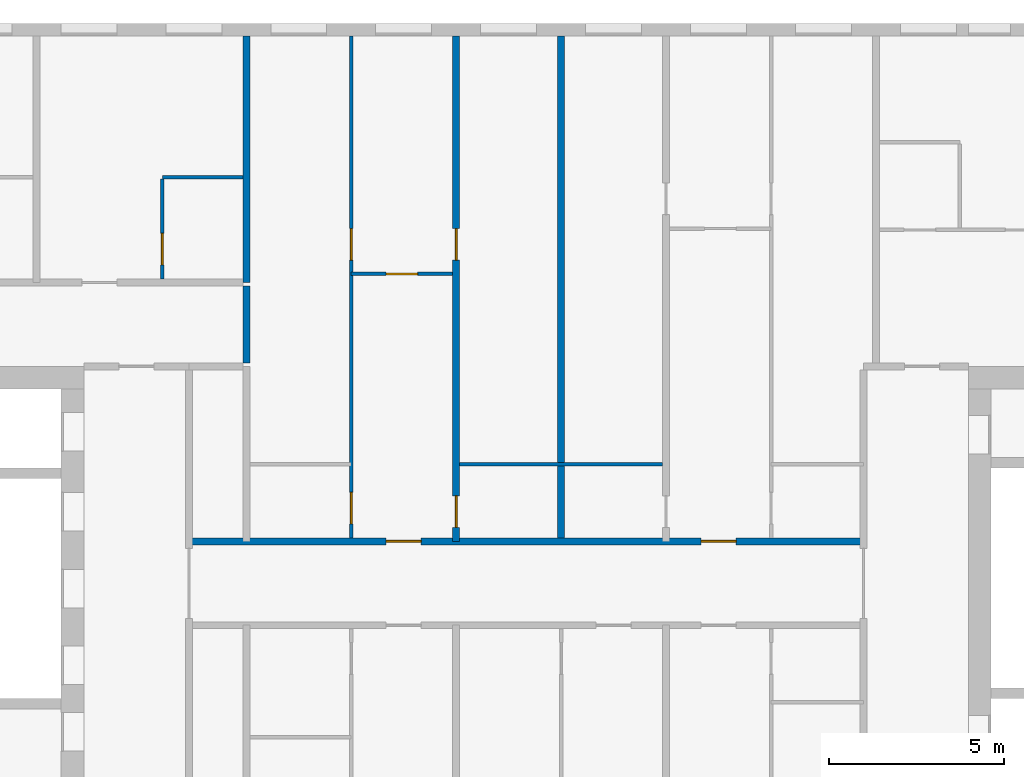
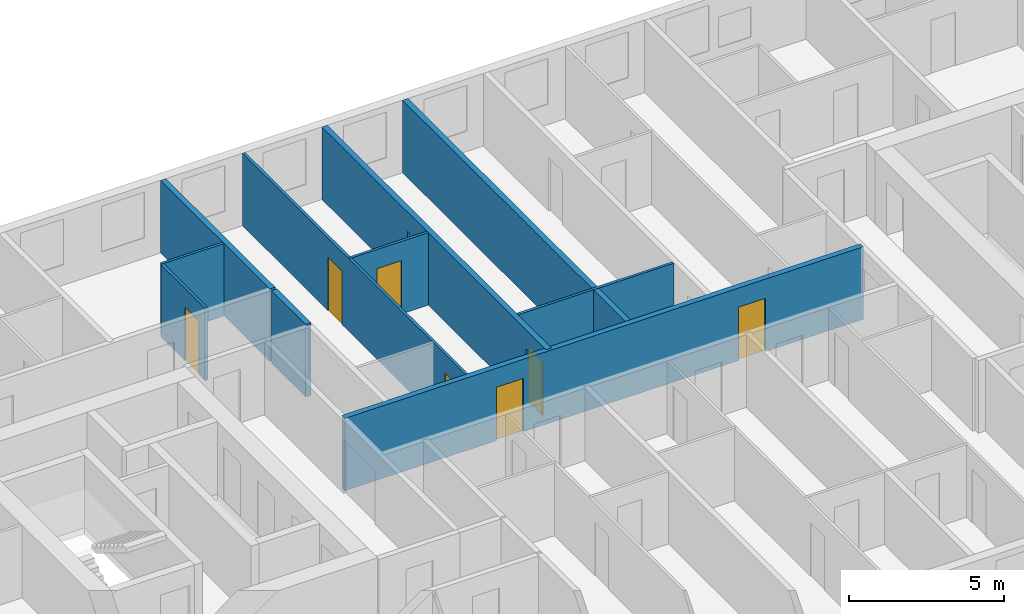
# One storey, part 5 of 17: 10 walls, 8 doors, 8 openings.
"""IFC4 building model written with IfcOpenShell, lengths in metres."""

from ifc_helpers import new_model, si_unit, direction, frame, frame_2d, origin, place, context, subcontext, project, spatial, rectangle, extrude, material, layer, layer_set, type_object, element, fill, save


model = new_model("IFC4")

# Units and contexts
model_context = context("Model", 3, precision=1e-05, world=origin(), true_north=direction((0.0, 1.0)))
body_context = subcontext(model_context, "Body", "Model", "MODEL_VIEW")
ifc_project = project(units=[si_unit("LENGTHUNIT", "METRE"), si_unit("AREAUNIT", "SQUARE_METRE"), si_unit("VOLUMEUNIT", "CUBIC_METRE"), si_unit("PLANEANGLEUNIT", "RADIAN"), si_unit("MASSUNIT", "GRAM", prefix="KILO")], contexts=[model_context])

# Site, building, storey
site_placement = place(None, origin())
site = spatial("IfcSite", under=ifc_project, at=site_placement, CompositionType="ELEMENT")
building_placement = place(site_placement, origin())
building = spatial("IfcBuilding", under=site, at=building_placement, Name="Tuart Gate Housing", CompositionType="ELEMENT")
storey_placement = place(building_placement, frame((0.0, 0.0, 99.5)))
storey = spatial("IfcBuildingStorey", under=building, at=storey_placement, Name="L27", CompositionType="ELEMENT", Elevation=99.5)

# Wall, openings, doors
ifc_material_1 = material(Name="Concrete masonry 15 MPa", Category="masonry")
ifc_layer_1 = layer(ifc_material_1, 0.199951171875)
ifc_layer_set_1 = layer_set([ifc_layer_1], Name="Corridor wall masonry 200")
wall_type_1 = type_object("IfcWallType", Name="Corridor wall masonry 200", PredefinedType="PARTITIONING", material=ifc_layer_set_1)
wall_1_placement = place(storey_placement, frame((44.360107421875, 71.199951171875, 0.0), z_axis=(0.0, 0.0, 1.0), x_axis=(1.0, 0.0, 0.0)))
wall_1 = element("IfcWall", 1, at=wall_1_placement, inside=storey, type_object=wall_type_1, Name="Corridor wall masonry 200", PredefinedType="PARTITIONING", context=body_context, shape_type="SweptSolid", body=[
    extrude(rectangle(XDim=19.27978515625, YDim=0.199951171875, at=frame_2d((9.639892578125, 0.0))), origin(), (0.0, 0.0, 1.0), 2.85009765625),
])
opening_1_placement = place(wall_1_placement, frame((14.639892578125, 0.0, 0.0)))
opening_1 = element("IfcOpeningElement", 2, at=opening_1_placement, cuts=wall_1, Name="Opening D1090", PredefinedType="OPENING", context=body_context, shape_type="SweptSolid", body=[
    extrude(rectangle(XDim=1.0, YDim=2.10009765625, at=frame_2d((0.5, 1.050048828125))), frame((0.0, 0.10986328125, 0.0), z_axis=(0.0, -1.0, 0.0), x_axis=(1.0, 0.0, 0.0)), (0.0, 0.0, 1.0), 0.219970703125),
])
opening_2_placement = place(wall_1_placement, frame((5.639892578125, 0.0, 0.0)))
opening_2 = element("IfcOpeningElement", 3, at=opening_2_placement, cuts=wall_1, Name="Opening D1091", PredefinedType="OPENING", context=body_context, shape_type="SweptSolid", body=[
    extrude(rectangle(XDim=1.0, YDim=2.10009765625, at=frame_2d((0.5, 1.050048828125))), frame((0.0, 0.10986328125, 0.0), z_axis=(0.0, -1.0, 0.0), x_axis=(1.0, 0.0, 0.0)), (0.0, 0.0, 1.0), 0.219970703125),
])
ifc_material_2 = material(Name="Timber door leaf in steel frame", Category="steel")
door_type_1 = type_object("IfcDoorType", Name="Flat entrance door 1000", OperationType="SINGLE_SWING_LEFT", PredefinedType="DOOR", material=ifc_material_2)
door_1_placement = place(opening_1_placement, origin())
door_1 = element("IfcDoor", 4, at=door_1_placement, inside=storey, type_object=door_type_1, Name="Flat entrance door", OperationType="SINGLE_SWING_LEFT", OverallHeight=2.10009765625, OverallWidth=1.0, PredefinedType="DOOR", context=body_context, shape_type="SweptSolid", body=[
    extrude(rectangle(XDim=1.0, YDim=2.10009765625, at=frame_2d((0.5, 1.050048828125))), frame((0.0, 0.02490234375, 0.0), z_axis=(0.0, -1.0, 0.0), x_axis=(1.0, 0.0, 0.0)), (0.0, 0.0, 1.0), 0.050048828125),
])
fill(opening_1, door_1)
door_2_placement = place(opening_2_placement, origin())
door_2 = element("IfcDoor", 5, at=door_2_placement, inside=storey, type_object=door_type_1, Name="Flat entrance door", OperationType="SINGLE_SWING_LEFT", OverallHeight=2.10009765625, OverallWidth=1.0, PredefinedType="DOOR", context=body_context, shape_type="SweptSolid", body=[
    extrude(rectangle(XDim=1.0, YDim=2.10009765625, at=frame_2d((0.5, 1.050048828125))), frame((0.0, 0.02490234375, 0.0), z_axis=(0.0, -1.0, 0.0), x_axis=(1.0, 0.0, 0.0)), (0.0, 0.0, 1.0), 0.050048828125),
])
fill(opening_2, door_2)

# Walls
wall_2_placement = place(storey_placement, frame((46.0, 76.300048828125, 0.0), z_axis=(0.0, 0.0, 1.0), x_axis=(0.0, 1.0, 0.0)))
element("IfcWall", 6, at=wall_2_placement, inside=storey, type_object=wall_type_1, Name="Corridor wall masonry 200", PredefinedType="PARTITIONING", context=body_context, shape_type="SweptSolid", body=[
    extrude(rectangle(XDim=2.199951171875, YDim=0.199951171875, at=frame_2d((1.10009765625, 0.0))), origin(), (0.0, 0.0, 1.0), 2.85009765625),
])
ifc_material_3 = material(Name="Gypsum board on steel studs", Category="steel")
ifc_layer_2 = layer(ifc_material_3, 0.10009765625)
ifc_layer_set_2 = layer_set([ifc_layer_2], Name="Partition 100")
wall_type_2 = type_object("IfcWallType", Name="Partition 100", PredefinedType="PARTITIONING", material=ifc_layer_set_2)
wall_3_placement = place(storey_placement, frame((52.10009765625, 73.39990234375, 0.0), z_axis=(0.0, 0.0, 1.0), x_axis=(1.0, 0.0, 0.0)))
element("IfcWall", 7, at=wall_3_placement, inside=storey, type_object=wall_type_2, Name="Partition 100", PredefinedType="PARTITIONING", context=body_context, shape_type="SweptSolid", body=[
    extrude(rectangle(XDim=5.7998046875, YDim=0.10009765625, at=frame_2d((2.89990234375, 0.0))), origin(), (0.0, 0.0, 1.0), 2.85009765625),
])

# Wall, opening, door
wall_4_placement = place(storey_placement, frame((49.0, 78.840087890625, 0.0), z_axis=(0.0, 0.0, 1.0), x_axis=(1.0, 0.0, 0.0)))
wall_4 = element("IfcWall", 8, at=wall_4_placement, inside=storey, type_object=wall_type_2, Name="Partition 100", PredefinedType="PARTITIONING", context=body_context, shape_type="SweptSolid", body=[
    extrude(rectangle(XDim=2.89990234375, YDim=0.10009765625, at=frame_2d((1.449951171875, 0.0))), origin(), (0.0, 0.0, 1.0), 2.85009765625),
])
opening_3_placement = place(wall_4_placement, frame((1.0, 0.0, 0.0)))
opening_3 = element("IfcOpeningElement", 9, at=opening_3_placement, cuts=wall_4, Name="Opening D1074", PredefinedType="OPENING", context=body_context, shape_type="SweptSolid", body=[
    extrude(rectangle(XDim=0.89990234375, YDim=2.10009765625, at=frame_2d((0.449951171875, 1.050048828125))), frame((0.0, 0.06005859375, 0.0), z_axis=(0.0, -1.0, 0.0), x_axis=(1.0, 0.0, 0.0)), (0.0, 0.0, 1.0), 0.1201171875),
])
ifc_material_4 = material(Name="Timber door leaf in steel frame", Category="steel")
door_type_2 = type_object("IfcDoorType", Name="Internal door 900 RH", OperationType="SINGLE_SWING_RIGHT", PredefinedType="DOOR", material=ifc_material_4)
door_3_placement = place(opening_3_placement, frame((0.89990234375, 0.0, 0.0), z_axis=(0.0, 0.0, 1.0), x_axis=(-1.0, 0.0, 0.0)))
door_3 = element("IfcDoor", 10, at=door_3_placement, inside=storey, type_object=door_type_2, Name="Internal door", OperationType="SINGLE_SWING_RIGHT", OverallHeight=2.10009765625, OverallWidth=0.89990234375, PredefinedType="DOOR", context=body_context, shape_type="SweptSolid", body=[
    extrude(rectangle(XDim=0.89990234375, YDim=2.10009765625, at=frame_2d((0.449951171875, 1.050048828125))), frame((0.0, 0.025146484375, 0.0), z_axis=(0.0, -1.0, 0.0), x_axis=(1.0, 0.0, 0.0)), (0.0, 0.0, 1.0), 0.050048828125),
])
fill(opening_3, door_3)

# Wall
wall_5_placement = place(storey_placement, frame((43.60009765625, 81.60009765625, 0.0), z_axis=(0.0, 0.0, 1.0), x_axis=(1.0, 0.0, 0.0)))
element("IfcWall", 11, at=wall_5_placement, inside=storey, type_object=wall_type_2, Name="Partition 100", PredefinedType="PARTITIONING", context=body_context, shape_type="SweptSolid", body=[
    extrude(rectangle(XDim=2.2998046875, YDim=0.10009765625, at=frame_2d((1.14990234375, 0.0))), origin(), (0.0, 0.0, 1.0), 2.85009765625),
])

# Wall, opening, door
wall_6_placement = place(storey_placement, frame((43.60009765625, 78.699951171875, 0.0), z_axis=(0.0, 0.0, 1.0), x_axis=(0.0, 1.0, 0.0)))
wall_6 = element("IfcWall", 12, at=wall_6_placement, inside=storey, type_object=wall_type_2, Name="Partition 100", PredefinedType="PARTITIONING", context=body_context, shape_type="SweptSolid", body=[
    extrude(rectangle(XDim=2.85009765625, YDim=0.10009765625, at=frame_2d((1.425048828125, 0.0))), origin(), (0.0, 0.0, 1.0), 2.85009765625),
])
opening_4_placement = place(wall_6_placement, frame((0.39990234375, 0.0, 0.0)))
opening_4 = element("IfcOpeningElement", 13, at=opening_4_placement, cuts=wall_6, Name="Opening D1071", PredefinedType="OPENING", context=body_context, shape_type="SweptSolid", body=[
    extrude(rectangle(XDim=0.89990234375, YDim=2.10009765625, at=frame_2d((0.449951171875, 1.050048828125))), frame((0.0, 0.06005859375, 0.0), z_axis=(0.0, -1.0, 0.0), x_axis=(1.0, 0.0, 0.0)), (0.0, 0.0, 1.0), 0.1201171875),
])
ifc_material_5 = material(Name="Timber door leaf in steel frame", Category="steel")
door_type_3 = type_object("IfcDoorType", Name="Bathroom door 900 RH", OperationType="SINGLE_SWING_RIGHT", PredefinedType="DOOR", material=ifc_material_5)
door_4_placement = place(opening_4_placement, frame((0.89990234375, 0.0, 0.0), z_axis=(0.0, 0.0, 1.0), x_axis=(-1.0, 0.0, 0.0)))
door_4 = element("IfcDoor", 14, at=door_4_placement, inside=storey, type_object=door_type_3, Name="Bathroom door", OperationType="SINGLE_SWING_RIGHT", OverallHeight=2.10009765625, OverallWidth=0.89990234375, PredefinedType="DOOR", context=body_context, shape_type="SweptSolid", body=[
    extrude(rectangle(XDim=0.89990234375, YDim=2.10009765625, at=frame_2d((0.449951171875, 1.050048828125))), frame((0.0, 0.025146484375, 0.0), z_axis=(0.0, -1.0, 0.0), x_axis=(1.0, 0.0, 0.0)), (0.0, 0.0, 1.0), 0.050048828125),
])
fill(opening_4, door_4)

# Wall, openings, doors
wall_7_placement = place(storey_placement, frame((49.0, 71.300048828125, 0.0), z_axis=(0.0, 0.0, 1.0), x_axis=(0.0, 1.0, 0.0)))
wall_7 = element("IfcWall", 15, at=wall_7_placement, inside=storey, type_object=wall_type_2, Name="Partition 100", PredefinedType="PARTITIONING", context=body_context, shape_type="SweptSolid", body=[
    extrude(rectangle(XDim=14.33984375, YDim=0.10009765625, at=frame_2d((7.169921875, 0.0))), origin(), (0.0, 0.0, 1.0), 2.85009765625),
])
opening_5_placement = place(wall_7_placement, frame((7.93994140625, 0.0, 0.0)))
opening_5 = element("IfcOpeningElement", 16, at=opening_5_placement, cuts=wall_7, Name="Opening D1079", PredefinedType="OPENING", context=body_context, shape_type="SweptSolid", body=[
    extrude(rectangle(XDim=0.89990234375, YDim=2.10009765625, at=frame_2d((0.449951171875, 1.050048828125))), frame((0.0, 0.06005859375, 0.0), z_axis=(0.0, -1.0, 0.0), x_axis=(1.0, 0.0, 0.0)), (0.0, 0.0, 1.0), 0.1201171875),
])
opening_6_placement = place(wall_7_placement, frame((0.39990234375, 0.0, 0.0)))
opening_6 = element("IfcOpeningElement", 17, at=opening_6_placement, cuts=wall_7, Name="Opening D1078", PredefinedType="OPENING", context=body_context, shape_type="SweptSolid", body=[
    extrude(rectangle(XDim=0.89990234375, YDim=2.10009765625, at=frame_2d((0.449951171875, 1.050048828125))), frame((0.0, 0.06005859375, 0.0), z_axis=(0.0, -1.0, 0.0), x_axis=(1.0, 0.0, 0.0)), (0.0, 0.0, 1.0), 0.1201171875),
])
ifc_material_6 = material(Name="Timber door leaf in steel frame", Category="steel")
door_type_4 = type_object("IfcDoorType", Name="Bathroom door 900", OperationType="SINGLE_SWING_LEFT", PredefinedType="DOOR", material=ifc_material_6)
door_5_placement = place(opening_6_placement, origin())
door_5 = element("IfcDoor", 18, at=door_5_placement, inside=storey, type_object=door_type_4, Name="Bathroom door", OperationType="SINGLE_SWING_LEFT", OverallHeight=2.10009765625, OverallWidth=0.89990234375, PredefinedType="DOOR", context=body_context, shape_type="SweptSolid", body=[
    extrude(rectangle(XDim=0.89990234375, YDim=2.10009765625, at=frame_2d((0.449951171875, 1.050048828125))), frame((0.0, 0.02490234375, 0.0), z_axis=(0.0, -1.0, 0.0), x_axis=(1.0, 0.0, 0.0)), (0.0, 0.0, 1.0), 0.050048828125),
])
fill(opening_6, door_5)
door_6_placement = place(opening_5_placement, origin())
door_6 = element("IfcDoor", 19, at=door_6_placement, inside=storey, type_object=door_type_2, Name="Internal door", OperationType="SINGLE_SWING_RIGHT", OverallHeight=2.10009765625, OverallWidth=0.89990234375, PredefinedType="DOOR", context=body_context, shape_type="SweptSolid", body=[
    extrude(rectangle(XDim=0.89990234375, YDim=2.10009765625, at=frame_2d((0.449951171875, 1.050048828125))), frame((0.0, 0.02490234375, 0.0), z_axis=(0.0, -1.0, 0.0), x_axis=(1.0, 0.0, 0.0)), (0.0, 0.0, 1.0), 0.050048828125),
])
fill(opening_5, door_6)

# Wall
ifc_material_7 = material(Name="Concrete C40", Category="concrete")
ifc_layer_3 = layer(ifc_material_7, 0.199951171875)
ifc_layer_set_3 = layer_set([ifc_layer_3], Name="Party wall concrete C40 200")
wall_type_3 = type_object("IfcWallType", Name="Party wall concrete C40 200", PredefinedType="SOLIDWALL", material=ifc_layer_set_3)
wall_8_placement = place(storey_placement, frame((46.0, 78.60009765625, 0.0), z_axis=(0.0, 0.0, 1.0), x_axis=(0.0, 1.0, 0.0)))
element("IfcWall", 20, at=wall_8_placement, inside=storey, type_object=wall_type_3, Name="Party wall concrete C40 200", PredefinedType="SOLIDWALL", context=body_context, shape_type="SweptSolid", body=[
    extrude(rectangle(XDim=7.039794921875, YDim=0.199951171875, at=frame_2d((3.52001953125, 0.0))), origin(), (0.0, 0.0, 1.0), 2.85009765625),
])

# Wall, openings, doors
wall_9_placement = place(storey_placement, frame((52.0, 71.199951171875, 0.0), z_axis=(0.0, 0.0, 1.0), x_axis=(0.0, 1.0, 0.0)))
wall_9 = element("IfcWall", 21, at=wall_9_placement, inside=storey, type_object=wall_type_3, Name="Party wall concrete C40 200", PredefinedType="SOLIDWALL", context=body_context, shape_type="SweptSolid", body=[
    extrude(rectangle(XDim=14.43994140625, YDim=0.199951171875, at=frame_2d((7.219970703125, 0.0))), origin(), (0.0, 0.0, 1.0), 2.85009765625),
])
opening_7_placement = place(wall_9_placement, frame((8.0400390625, 0.0, 0.0)))
opening_7 = element("IfcOpeningElement", 22, at=opening_7_placement, cuts=wall_9, Name="Opening D1083", PredefinedType="OPENING", context=body_context, shape_type="SweptSolid", body=[
    extrude(rectangle(XDim=0.89990234375, YDim=2.10009765625, at=frame_2d((0.449951171875, 1.050048828125))), frame((0.0, 0.10986328125, 0.0), z_axis=(0.0, -1.0, 0.0), x_axis=(1.0, 0.0, 0.0)), (0.0, 0.0, 1.0), 0.219970703125),
])
opening_8_placement = place(wall_9_placement, frame((0.39990234375, 0.0, 0.0)))
opening_8 = element("IfcOpeningElement", 23, at=opening_8_placement, cuts=wall_9, Name="Opening D1082", PredefinedType="OPENING", context=body_context, shape_type="SweptSolid", body=[
    extrude(rectangle(XDim=0.89990234375, YDim=2.10009765625, at=frame_2d((0.449951171875, 1.050048828125))), frame((0.0, 0.10986328125, 0.0), z_axis=(0.0, -1.0, 0.0), x_axis=(1.0, 0.0, 0.0)), (0.0, 0.0, 1.0), 0.219970703125),
])
door_7_placement = place(opening_8_placement, frame((0.89990234375, 0.0, 0.0), z_axis=(0.0, 0.0, 1.0), x_axis=(-1.0, 0.0, 0.0)))
door_7 = element("IfcDoor", 24, at=door_7_placement, inside=storey, type_object=door_type_3, Name="Bathroom door", OperationType="SINGLE_SWING_RIGHT", OverallHeight=2.10009765625, OverallWidth=0.89990234375, PredefinedType="DOOR", context=body_context, shape_type="SweptSolid", body=[
    extrude(rectangle(XDim=0.89990234375, YDim=2.10009765625, at=frame_2d((0.449951171875, 1.050048828125))), frame((0.0, 0.025146484375, 0.0), z_axis=(0.0, -1.0, 0.0), x_axis=(1.0, 0.0, 0.0)), (0.0, 0.0, 1.0), 0.050048828125),
])
fill(opening_8, door_7)
ifc_material_8 = material(Name="Timber door leaf in steel frame", Category="steel")
door_type_5 = type_object("IfcDoorType", Name="Internal door 900", OperationType="SINGLE_SWING_LEFT", PredefinedType="DOOR", material=ifc_material_8)
door_8_placement = place(opening_7_placement, frame((0.89990234375, 0.0, 0.0), z_axis=(0.0, 0.0, 1.0), x_axis=(-1.0, 0.0, 0.0)))
door_8 = element("IfcDoor", 25, at=door_8_placement, inside=storey, type_object=door_type_5, Name="Internal door", OperationType="SINGLE_SWING_LEFT", OverallHeight=2.10009765625, OverallWidth=0.89990234375, PredefinedType="DOOR", context=body_context, shape_type="SweptSolid", body=[
    extrude(rectangle(XDim=0.89990234375, YDim=2.10009765625, at=frame_2d((0.449951171875, 1.050048828125))), frame((0.0, 0.025146484375, 0.0), z_axis=(0.0, -1.0, 0.0), x_axis=(1.0, 0.0, 0.0)), (0.0, 0.0, 1.0), 0.050048828125),
])
fill(opening_7, door_8)

# Wall
ifc_material_9 = material(Name="Concrete masonry 15 MPa", Category="masonry")
ifc_layer_4 = layer(ifc_material_9, 0.199951171875)
ifc_layer_set_4 = layer_set([ifc_layer_4], Name="Party wall masonry 200")
wall_type_4 = type_object("IfcWallType", Name="Party wall masonry 200", PredefinedType="PARTITIONING", material=ifc_layer_set_4)
wall_10_placement = place(storey_placement, frame((55.0, 71.300048828125, 0.0), z_axis=(0.0, 0.0, 1.0), x_axis=(0.0, 1.0, 0.0)))
element("IfcWall", 26, at=wall_10_placement, inside=storey, type_object=wall_type_4, Name="Party wall masonry 200", PredefinedType="PARTITIONING", context=body_context, shape_type="SweptSolid", body=[
    extrude(rectangle(XDim=14.33984375, YDim=0.199951171875, at=frame_2d((7.169921875, 0.0))), origin(), (0.0, 0.0, 1.0), 2.85009765625),
])

save(model, "model.ifc")
